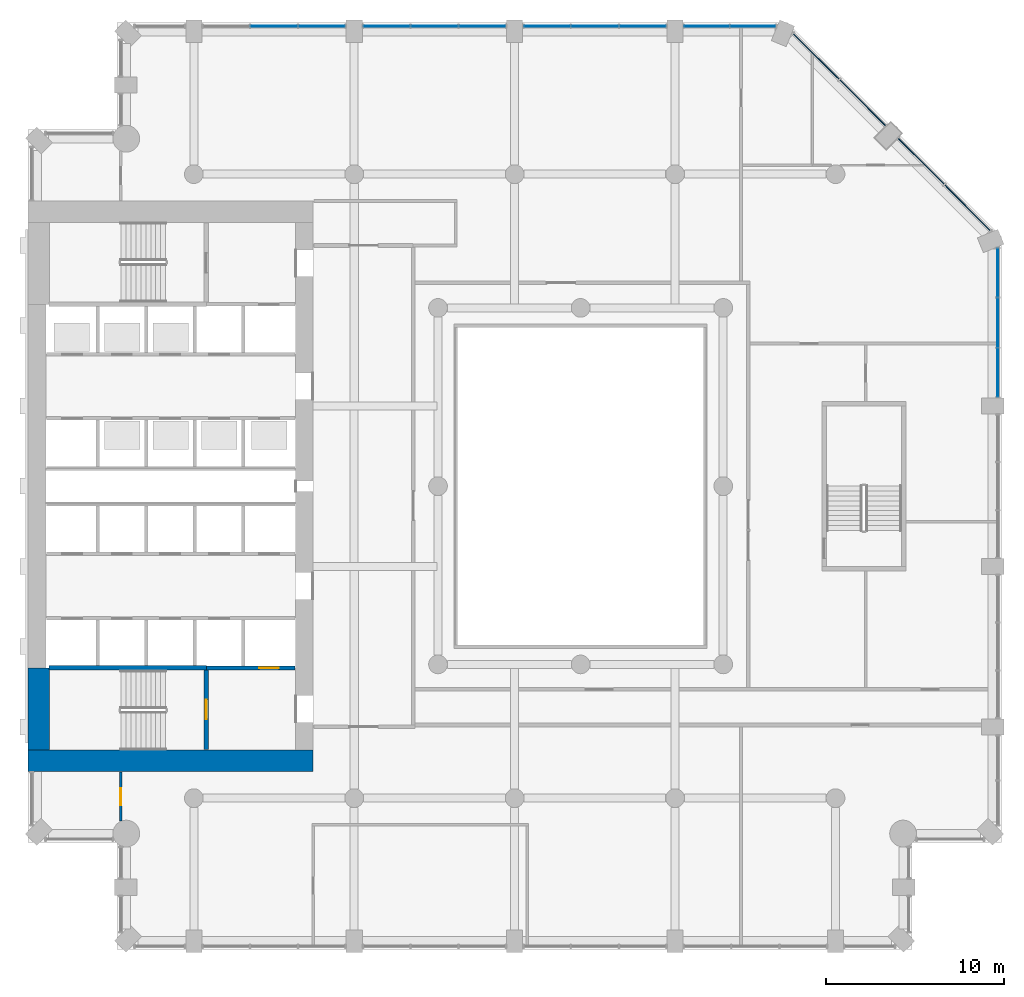
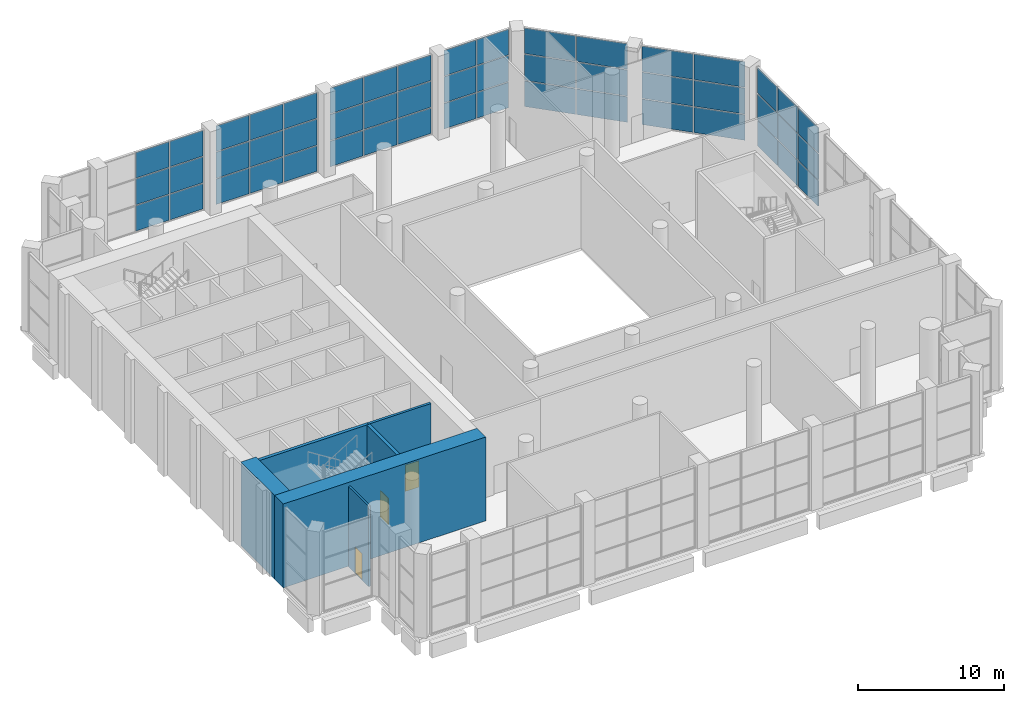
# One storey, part 11 of 22: 51 plates, 6 walls, 3 doors, 3 openings, 7 elements without a shape of their own.
"""IFC4 building model written with IfcOpenShell, lengths in metres."""

from ifc_helpers import new_model, si_unit, direction, frame, frame_2d, origin, origin_2d, place, context, subcontext, project, spatial, rectangle, extrude, material, layer, layer_set, type_object, element, fill, aggregate, save


model = new_model("IFC4")

# Units and contexts
model_context = context("Model", 3, precision=1e-05, world=origin(), true_north=direction((0.0, 1.0)))
body_context = subcontext(model_context, "Body", "Model", "MODEL_VIEW")
ifc_project = project(units=[si_unit("LENGTHUNIT", "METRE"), si_unit("AREAUNIT", "SQUARE_METRE"), si_unit("VOLUMEUNIT", "CUBIC_METRE"), si_unit("PLANEANGLEUNIT", "RADIAN"), si_unit("MASSUNIT", "GRAM", prefix="KILO")], contexts=[model_context])

# Site, building, storey
site_placement = place(None, origin())
site = spatial("IfcSite", under=ifc_project, at=site_placement, CompositionType="ELEMENT")
building_placement = place(site_placement, origin())
building = spatial("IfcBuilding", under=site, at=building_placement, Name="Cypress Arch Tower", CompositionType="ELEMENT")
storey_placement = place(building_placement, frame((0.0, 0.0, 145.5)))
storey = spatial("IfcBuildingStorey", under=building, at=storey_placement, Name="L32", CompositionType="ELEMENT", Elevation=145.5)

# Curtain wall, plates
ifc_material_1 = material(Name="Anodised aluminium, bronze finish, solar control laminated double glazing", Category="aluminium")
curtain_wall_type = type_object("IfcCurtainWallType", Name="Curtain wall CW3 sky lobby glazing", PredefinedType="NOTDEFINED", material=ifc_material_1)
curtain_wall_1_placement = place(storey_placement, origin())
curtain_wall_1 = element("IfcCurtainWall", 1, at=curtain_wall_1_placement, inside=storey, type_object=curtain_wall_type, Name="Curtain wall L32 A06.3.1", PredefinedType="NOTDEFINED")
ifc_material_2 = material(Name="Solar control laminated double glazing", Category="glass")
ifc_layer_1 = layer(ifc_material_2, 0.0439453125)
ifc_layer_set_1 = layer_set([ifc_layer_1], Name="Glass panel CW3 44")
plate_type = type_object("IfcPlateType", Name="Glass panel CW3 44", PredefinedType="CURTAIN_PANEL", material=ifc_layer_set_1)
plate_1_placement = place(storey_placement, frame((24.39990234375, 6.375244140625, 0.0751953125), z_axis=(0.0, 0.0, 1.0), x_axis=(0.0, 1.0, 0.0)))
plate_1 = element("IfcPlate", 2, at=plate_1_placement, type_object=plate_type, Name="CW3 panel 1.1", PredefinedType="CURTAIN_PANEL", context=body_context, shape_type="SweptSolid", body=[
    extrude(rectangle(XDim=2.700439453125, YDim=0.0439453125, at=origin_2d()), origin(), (0.0, 0.0, 1.0), 2.120849609375),
])
plate_2_placement = place(storey_placement, frame((24.39990234375, 6.375244140625, 2.27099609375), z_axis=(0.0, 0.0, 1.0), x_axis=(0.0, 1.0, 0.0)))
plate_2 = element("IfcPlate", 3, at=plate_2_placement, type_object=plate_type, Name="CW3 panel 1.2", PredefinedType="CURTAIN_PANEL", context=body_context, shape_type="SweptSolid", body=[
    extrude(rectangle(XDim=2.700439453125, YDim=0.0439453125, at=origin_2d()), origin(), (0.0, 0.0, 1.0), 2.158447265625),
])
plate_3_placement = place(storey_placement, frame((24.39990234375, 6.375244140625, 4.50439453125), z_axis=(0.0, 0.0, 1.0), x_axis=(0.0, 1.0, 0.0)))
plate_3 = element("IfcPlate", 4, at=plate_3_placement, type_object=plate_type, Name="CW3 panel 1.3", PredefinedType="CURTAIN_PANEL", context=body_context, shape_type="SweptSolid", body=[
    extrude(rectangle(XDim=2.700439453125, YDim=0.0439453125, at=origin_2d()), origin(), (0.0, 0.0, 1.0), 2.120849609375),
])
plate_4_placement = place(storey_placement, frame((24.39990234375, 9.16943359375, 0.0751953125), z_axis=(0.0, 0.0, 1.0), x_axis=(0.0, 1.0, 0.0)))
plate_4 = element("IfcPlate", 5, at=plate_4_placement, type_object=plate_type, Name="CW3 panel 2.1", PredefinedType="CURTAIN_PANEL", context=body_context, shape_type="SweptSolid", body=[
    extrude(rectangle(XDim=2.73779296875, YDim=0.0439453125, at=origin_2d()), origin(), (0.0, 0.0, 1.0), 2.120849609375),
])
plate_5_placement = place(storey_placement, frame((24.39990234375, 9.16943359375, 2.27099609375), z_axis=(0.0, 0.0, 1.0), x_axis=(0.0, 1.0, 0.0)))
plate_5 = element("IfcPlate", 6, at=plate_5_placement, type_object=plate_type, Name="CW3 panel 2.2", PredefinedType="CURTAIN_PANEL", context=body_context, shape_type="SweptSolid", body=[
    extrude(rectangle(XDim=2.73779296875, YDim=0.0439453125, at=origin_2d()), origin(), (0.0, 0.0, 1.0), 2.158447265625),
])
plate_6_placement = place(storey_placement, frame((24.39990234375, 9.16943359375, 4.50439453125), z_axis=(0.0, 0.0, 1.0), x_axis=(0.0, 1.0, 0.0)))
plate_6 = element("IfcPlate", 7, at=plate_6_placement, type_object=plate_type, Name="CW3 panel 2.3", PredefinedType="CURTAIN_PANEL", context=body_context, shape_type="SweptSolid", body=[
    extrude(rectangle(XDim=2.73779296875, YDim=0.0439453125, at=origin_2d()), origin(), (0.0, 0.0, 1.0), 2.120849609375),
])
plate_7_placement = place(storey_placement, frame((24.39990234375, 11.96337890625, 0.0751953125), z_axis=(0.0, 0.0, 1.0), x_axis=(0.0, 1.0, 0.0)))
plate_7 = element("IfcPlate", 8, at=plate_7_placement, type_object=plate_type, Name="CW3 panel 3.1", PredefinedType="CURTAIN_PANEL", context=body_context, shape_type="SweptSolid", body=[
    extrude(rectangle(XDim=2.700439453125, YDim=0.0439453125, at=origin_2d()), origin(), (0.0, 0.0, 1.0), 2.120849609375),
])
plate_8_placement = place(storey_placement, frame((24.39990234375, 11.96337890625, 2.27099609375), z_axis=(0.0, 0.0, 1.0), x_axis=(0.0, 1.0, 0.0)))
plate_8 = element("IfcPlate", 9, at=plate_8_placement, type_object=plate_type, Name="CW3 panel 3.2", PredefinedType="CURTAIN_PANEL", context=body_context, shape_type="SweptSolid", body=[
    extrude(rectangle(XDim=2.700439453125, YDim=0.0439453125, at=origin_2d()), origin(), (0.0, 0.0, 1.0), 2.158447265625),
])
plate_9_placement = place(storey_placement, frame((24.39990234375, 11.96337890625, 4.50439453125), z_axis=(0.0, 0.0, 1.0), x_axis=(0.0, 1.0, 0.0)))
plate_9 = element("IfcPlate", 10, at=plate_9_placement, type_object=plate_type, Name="CW3 panel 3.3", PredefinedType="CURTAIN_PANEL", context=body_context, shape_type="SweptSolid", body=[
    extrude(rectangle(XDim=2.700439453125, YDim=0.0439453125, at=origin_2d()), origin(), (0.0, 0.0, 1.0), 2.120849609375),
])
aggregate(curtain_wall_1, [plate_1, plate_2, plate_3, plate_4, plate_5, plate_6, plate_7, plate_8, plate_9])

curtain_wall_2_placement = place(storey_placement, origin())
curtain_wall_2 = element("IfcCurtainWall", 11, at=curtain_wall_2_placement, inside=storey, type_object=curtain_wall_type, Name="Curtain wall L32 A07.0.1", PredefinedType="NOTDEFINED")
plate_10_placement = place(storey_placement, frame((22.70068359375, 15.616455078125, 0.0751953125), z_axis=(0.0, 0.0, 1.0), x_axis=(-0.707106848533, 0.70710671384, 0.0)))
plate_10 = element("IfcPlate", 12, at=plate_10_placement, type_object=plate_type, Name="CW3 panel 1.1", PredefinedType="CURTAIN_PANEL", context=body_context, shape_type="SweptSolid", body=[
    extrude(rectangle(XDim=3.599365234375, YDim=0.0439453125, at=origin_2d()), origin(), (0.0, 0.0, 1.0), 2.120849609375),
])
plate_11_placement = place(storey_placement, frame((22.70068359375, 15.616455078125, 2.27099609375), z_axis=(0.0, 0.0, 1.0), x_axis=(-0.707106848533, 0.70710671384, 0.0)))
plate_11 = element("IfcPlate", 13, at=plate_11_placement, type_object=plate_type, Name="CW3 panel 1.2", PredefinedType="CURTAIN_PANEL", context=body_context, shape_type="SweptSolid", body=[
    extrude(rectangle(XDim=3.599365234375, YDim=0.0439453125, at=origin_2d()), origin(), (0.0, 0.0, 1.0), 2.158447265625),
])
plate_12_placement = place(storey_placement, frame((22.70068359375, 15.616455078125, 4.50439453125), z_axis=(0.0, 0.0, 1.0), x_axis=(-0.707106848533, 0.70710671384, 0.0)))
plate_12 = element("IfcPlate", 14, at=plate_12_placement, type_object=plate_type, Name="CW3 panel 1.3", PredefinedType="CURTAIN_PANEL", context=body_context, shape_type="SweptSolid", body=[
    extrude(rectangle(XDim=3.599365234375, YDim=0.0439453125, at=origin_2d()), origin(), (0.0, 0.0, 1.0), 2.120849609375),
])
plate_13_placement = place(storey_placement, frame((20.102294921875, 18.21484375, 0.0751953125), z_axis=(0.0, 0.0, 1.0), x_axis=(-0.707106848533, 0.70710671384, 0.0)))
plate_13 = element("IfcPlate", 15, at=plate_13_placement, type_object=plate_type, Name="CW3 panel 2.1", PredefinedType="CURTAIN_PANEL", context=body_context, shape_type="SweptSolid", body=[
    extrude(rectangle(XDim=3.599365234375, YDim=0.0439453125, at=origin_2d()), origin(), (0.0, 0.0, 1.0), 2.120849609375),
])
plate_14_placement = place(storey_placement, frame((20.102294921875, 18.21484375, 2.27099609375), z_axis=(0.0, 0.0, 1.0), x_axis=(-0.707106848533, 0.70710671384, 0.0)))
plate_14 = element("IfcPlate", 16, at=plate_14_placement, type_object=plate_type, Name="CW3 panel 2.2", PredefinedType="CURTAIN_PANEL", context=body_context, shape_type="SweptSolid", body=[
    extrude(rectangle(XDim=3.599365234375, YDim=0.0439453125, at=origin_2d()), origin(), (0.0, 0.0, 1.0), 2.158447265625),
])
plate_15_placement = place(storey_placement, frame((20.102294921875, 18.21484375, 4.50439453125), z_axis=(0.0, 0.0, 1.0), x_axis=(-0.707106848533, 0.70710671384, 0.0)))
plate_15 = element("IfcPlate", 17, at=plate_15_placement, type_object=plate_type, Name="CW3 panel 2.3", PredefinedType="CURTAIN_PANEL", context=body_context, shape_type="SweptSolid", body=[
    extrude(rectangle(XDim=3.599365234375, YDim=0.0439453125, at=origin_2d()), origin(), (0.0, 0.0, 1.0), 2.120849609375),
])
aggregate(curtain_wall_2, [plate_10, plate_11, plate_12, plate_13, plate_14, plate_15])

curtain_wall_3_placement = place(storey_placement, origin())
curtain_wall_3 = element("IfcCurtainWall", 18, at=curtain_wall_3_placement, inside=storey, type_object=curtain_wall_type, Name="Curtain wall L32 A07.1.1", PredefinedType="NOTDEFINED")
plate_16_placement = place(storey_placement, frame((16.814697265625, 21.50244140625, 0.0751953125), z_axis=(0.0, 0.0, 1.0), x_axis=(-0.707106848533, 0.70710671384, 0.0)))
plate_16 = element("IfcPlate", 19, at=plate_16_placement, type_object=plate_type, Name="CW3 panel 1.1", PredefinedType="CURTAIN_PANEL", context=body_context, shape_type="SweptSolid", body=[
    extrude(rectangle(XDim=3.599365234375, YDim=0.0439453125, at=origin_2d()), origin(), (0.0, 0.0, 1.0), 2.120849609375),
])
plate_17_placement = place(storey_placement, frame((16.814697265625, 21.50244140625, 2.27099609375), z_axis=(0.0, 0.0, 1.0), x_axis=(-0.707106848533, 0.70710671384, 0.0)))
plate_17 = element("IfcPlate", 20, at=plate_17_placement, type_object=plate_type, Name="CW3 panel 1.2", PredefinedType="CURTAIN_PANEL", context=body_context, shape_type="SweptSolid", body=[
    extrude(rectangle(XDim=3.599365234375, YDim=0.0439453125, at=origin_2d()), origin(), (0.0, 0.0, 1.0), 2.158447265625),
])
plate_18_placement = place(storey_placement, frame((16.814697265625, 21.50244140625, 4.50439453125), z_axis=(0.0, 0.0, 1.0), x_axis=(-0.707106848533, 0.70710671384, 0.0)))
plate_18 = element("IfcPlate", 21, at=plate_18_placement, type_object=plate_type, Name="CW3 panel 1.3", PredefinedType="CURTAIN_PANEL", context=body_context, shape_type="SweptSolid", body=[
    extrude(rectangle(XDim=3.599365234375, YDim=0.0439453125, at=origin_2d()), origin(), (0.0, 0.0, 1.0), 2.120849609375),
])
plate_19_placement = place(storey_placement, frame((14.216552734375, 24.1005859375, 0.0751953125), z_axis=(0.0, 0.0, 1.0), x_axis=(-0.707106848533, 0.70710671384, 0.0)))
plate_19 = element("IfcPlate", 22, at=plate_19_placement, type_object=plate_type, Name="CW3 panel 2.1", PredefinedType="CURTAIN_PANEL", context=body_context, shape_type="SweptSolid", body=[
    extrude(rectangle(XDim=3.599365234375, YDim=0.0439453125, at=origin_2d()), origin(), (0.0, 0.0, 1.0), 2.120849609375),
])
plate_20_placement = place(storey_placement, frame((14.216552734375, 24.1005859375, 2.27099609375), z_axis=(0.0, 0.0, 1.0), x_axis=(-0.707106848533, 0.70710671384, 0.0)))
plate_20 = element("IfcPlate", 23, at=plate_20_placement, type_object=plate_type, Name="CW3 panel 2.2", PredefinedType="CURTAIN_PANEL", context=body_context, shape_type="SweptSolid", body=[
    extrude(rectangle(XDim=3.599365234375, YDim=0.0439453125, at=origin_2d()), origin(), (0.0, 0.0, 1.0), 2.158447265625),
])
plate_21_placement = place(storey_placement, frame((14.216552734375, 24.1005859375, 4.50439453125), z_axis=(0.0, 0.0, 1.0), x_axis=(-0.707106848533, 0.70710671384, 0.0)))
plate_21 = element("IfcPlate", 24, at=plate_21_placement, type_object=plate_type, Name="CW3 panel 2.3", PredefinedType="CURTAIN_PANEL", context=body_context, shape_type="SweptSolid", body=[
    extrude(rectangle(XDim=3.599365234375, YDim=0.0439453125, at=origin_2d()), origin(), (0.0, 0.0, 1.0), 2.120849609375),
])
aggregate(curtain_wall_3, [plate_16, plate_17, plate_18, plate_19, plate_20, plate_21])

curtain_wall_4_placement = place(storey_placement, origin())
curtain_wall_4 = element("IfcCurtainWall", 25, at=curtain_wall_4_placement, inside=storey, type_object=curtain_wall_type, Name="Curtain wall L32 A08.0.1", PredefinedType="NOTDEFINED")
plate_22_placement = place(storey_placement, frame((10.66015625, 25.800048828125, 0.0751953125), z_axis=(0.0, 0.0, 1.0), x_axis=(-1.0, 0.0, 0.0)))
plate_22 = element("IfcPlate", 26, at=plate_22_placement, type_object=plate_type, Name="CW3 panel 1.1", PredefinedType="CURTAIN_PANEL", context=body_context, shape_type="SweptSolid", body=[
    extrude(rectangle(XDim=2.5068359375, YDim=0.0439453125, at=origin_2d()), origin(), (0.0, 0.0, 1.0), 2.120849609375),
])
plate_23_placement = place(storey_placement, frame((10.66015625, 25.800048828125, 2.27099609375), z_axis=(0.0, 0.0, 1.0), x_axis=(-1.0, 0.0, 0.0)))
plate_23 = element("IfcPlate", 27, at=plate_23_placement, type_object=plate_type, Name="CW3 panel 1.2", PredefinedType="CURTAIN_PANEL", context=body_context, shape_type="SweptSolid", body=[
    extrude(rectangle(XDim=2.5068359375, YDim=0.0439453125, at=origin_2d()), origin(), (0.0, 0.0, 1.0), 2.158447265625),
])
plate_24_placement = place(storey_placement, frame((10.66015625, 25.800048828125, 4.50439453125), z_axis=(0.0, 0.0, 1.0), x_axis=(-1.0, 0.0, 0.0)))
plate_24 = element("IfcPlate", 28, at=plate_24_placement, type_object=plate_type, Name="CW3 panel 1.3", PredefinedType="CURTAIN_PANEL", context=body_context, shape_type="SweptSolid", body=[
    extrude(rectangle(XDim=2.5068359375, YDim=0.0439453125, at=origin_2d()), origin(), (0.0, 0.0, 1.0), 2.120849609375),
])
plate_25_placement = place(storey_placement, frame((8.078369140625, 25.800048828125, 0.0751953125), z_axis=(0.0, 0.0, 1.0), x_axis=(-1.0, 0.0, 0.0)))
plate_25 = element("IfcPlate", 29, at=plate_25_placement, type_object=plate_type, Name="CW3 panel 2.1", PredefinedType="CURTAIN_PANEL", context=body_context, shape_type="SweptSolid", body=[
    extrude(rectangle(XDim=2.5068359375, YDim=0.0439453125, at=origin_2d()), origin(), (0.0, 0.0, 1.0), 2.120849609375),
])
plate_26_placement = place(storey_placement, frame((8.078369140625, 25.800048828125, 2.27099609375), z_axis=(0.0, 0.0, 1.0), x_axis=(-1.0, 0.0, 0.0)))
plate_26 = element("IfcPlate", 30, at=plate_26_placement, type_object=plate_type, Name="CW3 panel 2.2", PredefinedType="CURTAIN_PANEL", context=body_context, shape_type="SweptSolid", body=[
    extrude(rectangle(XDim=2.5068359375, YDim=0.0439453125, at=origin_2d()), origin(), (0.0, 0.0, 1.0), 2.158447265625),
])
plate_27_placement = place(storey_placement, frame((8.078369140625, 25.800048828125, 4.50439453125), z_axis=(0.0, 0.0, 1.0), x_axis=(-1.0, 0.0, 0.0)))
plate_27 = element("IfcPlate", 31, at=plate_27_placement, type_object=plate_type, Name="CW3 panel 2.3", PredefinedType="CURTAIN_PANEL", context=body_context, shape_type="SweptSolid", body=[
    extrude(rectangle(XDim=2.5068359375, YDim=0.0439453125, at=origin_2d()), origin(), (0.0, 0.0, 1.0), 2.120849609375),
])
aggregate(curtain_wall_4, [plate_22, plate_23, plate_24, plate_25, plate_26, plate_27])

curtain_wall_5_placement = place(storey_placement, origin())
curtain_wall_5 = element("IfcCurtainWall", 32, at=curtain_wall_5_placement, inside=storey, type_object=curtain_wall_type, Name="Curtain wall L32 A08.1.1", PredefinedType="NOTDEFINED")
plate_28_placement = place(storey_placement, frame((4.481201171875, 25.800048828125, 0.0751953125), z_axis=(0.0, 0.0, 1.0), x_axis=(-1.0, 0.0, 0.0)))
plate_28 = element("IfcPlate", 33, at=plate_28_placement, type_object=plate_type, Name="CW3 panel 1.1", PredefinedType="CURTAIN_PANEL", context=body_context, shape_type="SweptSolid", body=[
    extrude(rectangle(XDim=2.58740234375, YDim=0.0439453125, at=origin_2d()), origin(), (0.0, 0.0, 1.0), 2.120849609375),
])
plate_29_placement = place(storey_placement, frame((4.481201171875, 25.800048828125, 2.27099609375), z_axis=(0.0, 0.0, 1.0), x_axis=(-1.0, 0.0, 0.0)))
plate_29 = element("IfcPlate", 34, at=plate_29_placement, type_object=plate_type, Name="CW3 panel 1.2", PredefinedType="CURTAIN_PANEL", context=body_context, shape_type="SweptSolid", body=[
    extrude(rectangle(XDim=2.58740234375, YDim=0.0439453125, at=origin_2d()), origin(), (0.0, 0.0, 1.0), 2.158447265625),
])
plate_30_placement = place(storey_placement, frame((4.481201171875, 25.800048828125, 4.50439453125), z_axis=(0.0, 0.0, 1.0), x_axis=(-1.0, 0.0, 0.0)))
plate_30 = element("IfcPlate", 35, at=plate_30_placement, type_object=plate_type, Name="CW3 panel 1.3", PredefinedType="CURTAIN_PANEL", context=body_context, shape_type="SweptSolid", body=[
    extrude(rectangle(XDim=2.58740234375, YDim=0.0439453125, at=origin_2d()), origin(), (0.0, 0.0, 1.0), 2.120849609375),
])
plate_31_placement = place(storey_placement, frame((1.800048828125, 25.800048828125, 0.0751953125), z_axis=(0.0, 0.0, 1.0), x_axis=(-1.0, 0.0, 0.0)))
plate_31 = element("IfcPlate", 36, at=plate_31_placement, type_object=plate_type, Name="CW3 panel 2.1", PredefinedType="CURTAIN_PANEL", context=body_context, shape_type="SweptSolid", body=[
    extrude(rectangle(XDim=2.625, YDim=0.0439453125, at=origin_2d()), origin(), (0.0, 0.0, 1.0), 2.120849609375),
])
plate_32_placement = place(storey_placement, frame((1.800048828125, 25.800048828125, 2.27099609375), z_axis=(0.0, 0.0, 1.0), x_axis=(-1.0, 0.0, 0.0)))
plate_32 = element("IfcPlate", 37, at=plate_32_placement, type_object=plate_type, Name="CW3 panel 2.2", PredefinedType="CURTAIN_PANEL", context=body_context, shape_type="SweptSolid", body=[
    extrude(rectangle(XDim=2.625, YDim=0.0439453125, at=origin_2d()), origin(), (0.0, 0.0, 1.0), 2.158447265625),
])
plate_33_placement = place(storey_placement, frame((1.800048828125, 25.800048828125, 4.50439453125), z_axis=(0.0, 0.0, 1.0), x_axis=(-1.0, 0.0, 0.0)))
plate_33 = element("IfcPlate", 38, at=plate_33_placement, type_object=plate_type, Name="CW3 panel 2.3", PredefinedType="CURTAIN_PANEL", context=body_context, shape_type="SweptSolid", body=[
    extrude(rectangle(XDim=2.625, YDim=0.0439453125, at=origin_2d()), origin(), (0.0, 0.0, 1.0), 2.120849609375),
])
plate_34_placement = place(storey_placement, frame((-0.88134765625, 25.800048828125, 0.0751953125), z_axis=(0.0, 0.0, 1.0), x_axis=(-1.0, 0.0, 0.0)))
plate_34 = element("IfcPlate", 39, at=plate_34_placement, type_object=plate_type, Name="CW3 panel 3.1", PredefinedType="CURTAIN_PANEL", context=body_context, shape_type="SweptSolid", body=[
    extrude(rectangle(XDim=2.58740234375, YDim=0.0439453125, at=origin_2d()), origin(), (0.0, 0.0, 1.0), 2.120849609375),
])
plate_35_placement = place(storey_placement, frame((-0.88134765625, 25.800048828125, 2.27099609375), z_axis=(0.0, 0.0, 1.0), x_axis=(-1.0, 0.0, 0.0)))
plate_35 = element("IfcPlate", 40, at=plate_35_placement, type_object=plate_type, Name="CW3 panel 3.2", PredefinedType="CURTAIN_PANEL", context=body_context, shape_type="SweptSolid", body=[
    extrude(rectangle(XDim=2.58740234375, YDim=0.0439453125, at=origin_2d()), origin(), (0.0, 0.0, 1.0), 2.158447265625),
])
plate_36_placement = place(storey_placement, frame((-0.88134765625, 25.800048828125, 4.50439453125), z_axis=(0.0, 0.0, 1.0), x_axis=(-1.0, 0.0, 0.0)))
plate_36 = element("IfcPlate", 41, at=plate_36_placement, type_object=plate_type, Name="CW3 panel 3.3", PredefinedType="CURTAIN_PANEL", context=body_context, shape_type="SweptSolid", body=[
    extrude(rectangle(XDim=2.58740234375, YDim=0.0439453125, at=origin_2d()), origin(), (0.0, 0.0, 1.0), 2.120849609375),
])
aggregate(curtain_wall_5, [plate_28, plate_29, plate_30, plate_31, plate_32, plate_33, plate_34, plate_35, plate_36])

curtain_wall_6_placement = place(storey_placement, origin())
curtain_wall_6 = element("IfcCurtainWall", 42, at=curtain_wall_6_placement, inside=storey, type_object=curtain_wall_type, Name="Curtain wall L32 A08.2.1", PredefinedType="NOTDEFINED")
plate_37_placement = place(storey_placement, frame((-4.518798828125, 25.800048828125, 0.0751953125), z_axis=(0.0, 0.0, 1.0), x_axis=(-1.0, 0.0, 0.0)))
plate_37 = element("IfcPlate", 43, at=plate_37_placement, type_object=plate_type, Name="CW3 panel 1.1", PredefinedType="CURTAIN_PANEL", context=body_context, shape_type="SweptSolid", body=[
    extrude(rectangle(XDim=2.58740234375, YDim=0.0439453125, at=origin_2d()), origin(), (0.0, 0.0, 1.0), 2.120849609375),
])
plate_38_placement = place(storey_placement, frame((-4.518798828125, 25.800048828125, 2.27099609375), z_axis=(0.0, 0.0, 1.0), x_axis=(-1.0, 0.0, 0.0)))
plate_38 = element("IfcPlate", 44, at=plate_38_placement, type_object=plate_type, Name="CW3 panel 1.2", PredefinedType="CURTAIN_PANEL", context=body_context, shape_type="SweptSolid", body=[
    extrude(rectangle(XDim=2.58740234375, YDim=0.0439453125, at=origin_2d()), origin(), (0.0, 0.0, 1.0), 2.158447265625),
])
plate_39_placement = place(storey_placement, frame((-4.518798828125, 25.800048828125, 4.50439453125), z_axis=(0.0, 0.0, 1.0), x_axis=(-1.0, 0.0, 0.0)))
plate_39 = element("IfcPlate", 45, at=plate_39_placement, type_object=plate_type, Name="CW3 panel 1.3", PredefinedType="CURTAIN_PANEL", context=body_context, shape_type="SweptSolid", body=[
    extrude(rectangle(XDim=2.58740234375, YDim=0.0439453125, at=origin_2d()), origin(), (0.0, 0.0, 1.0), 2.120849609375),
])
plate_40_placement = place(storey_placement, frame((-7.199951171875, 25.800048828125, 0.0751953125), z_axis=(0.0, 0.0, 1.0), x_axis=(-1.0, 0.0, 0.0)))
plate_40 = element("IfcPlate", 46, at=plate_40_placement, type_object=plate_type, Name="CW3 panel 2.1", PredefinedType="CURTAIN_PANEL", context=body_context, shape_type="SweptSolid", body=[
    extrude(rectangle(XDim=2.625, YDim=0.0439453125, at=origin_2d()), origin(), (0.0, 0.0, 1.0), 2.120849609375),
])
plate_41_placement = place(storey_placement, frame((-7.199951171875, 25.800048828125, 2.27099609375), z_axis=(0.0, 0.0, 1.0), x_axis=(-1.0, 0.0, 0.0)))
plate_41 = element("IfcPlate", 47, at=plate_41_placement, type_object=plate_type, Name="CW3 panel 2.2", PredefinedType="CURTAIN_PANEL", context=body_context, shape_type="SweptSolid", body=[
    extrude(rectangle(XDim=2.625, YDim=0.0439453125, at=origin_2d()), origin(), (0.0, 0.0, 1.0), 2.158447265625),
])
plate_42_placement = place(storey_placement, frame((-7.199951171875, 25.800048828125, 4.50439453125), z_axis=(0.0, 0.0, 1.0), x_axis=(-1.0, 0.0, 0.0)))
plate_42 = element("IfcPlate", 48, at=plate_42_placement, type_object=plate_type, Name="CW3 panel 2.3", PredefinedType="CURTAIN_PANEL", context=body_context, shape_type="SweptSolid", body=[
    extrude(rectangle(XDim=2.625, YDim=0.0439453125, at=origin_2d()), origin(), (0.0, 0.0, 1.0), 2.120849609375),
])
plate_43_placement = place(storey_placement, frame((-9.88134765625, 25.800048828125, 0.0751953125), z_axis=(0.0, 0.0, 1.0), x_axis=(-1.0, 0.0, 0.0)))
plate_43 = element("IfcPlate", 49, at=plate_43_placement, type_object=plate_type, Name="CW3 panel 3.1", PredefinedType="CURTAIN_PANEL", context=body_context, shape_type="SweptSolid", body=[
    extrude(rectangle(XDim=2.58740234375, YDim=0.0439453125, at=origin_2d()), origin(), (0.0, 0.0, 1.0), 2.120849609375),
])
plate_44_placement = place(storey_placement, frame((-9.88134765625, 25.800048828125, 2.27099609375), z_axis=(0.0, 0.0, 1.0), x_axis=(-1.0, 0.0, 0.0)))
plate_44 = element("IfcPlate", 50, at=plate_44_placement, type_object=plate_type, Name="CW3 panel 3.2", PredefinedType="CURTAIN_PANEL", context=body_context, shape_type="SweptSolid", body=[
    extrude(rectangle(XDim=2.58740234375, YDim=0.0439453125, at=origin_2d()), origin(), (0.0, 0.0, 1.0), 2.158447265625),
])
plate_45_placement = place(storey_placement, frame((-9.88134765625, 25.800048828125, 4.50439453125), z_axis=(0.0, 0.0, 1.0), x_axis=(-1.0, 0.0, 0.0)))
plate_45 = element("IfcPlate", 51, at=plate_45_placement, type_object=plate_type, Name="CW3 panel 3.3", PredefinedType="CURTAIN_PANEL", context=body_context, shape_type="SweptSolid", body=[
    extrude(rectangle(XDim=2.58740234375, YDim=0.0439453125, at=origin_2d()), origin(), (0.0, 0.0, 1.0), 2.120849609375),
])
aggregate(curtain_wall_6, [plate_37, plate_38, plate_39, plate_40, plate_41, plate_42, plate_43, plate_44, plate_45])

curtain_wall_7_placement = place(storey_placement, origin())
curtain_wall_7 = element("IfcCurtainWall", 52, at=curtain_wall_7_placement, inside=storey, type_object=curtain_wall_type, Name="Curtain wall L32 A08.3.1", PredefinedType="NOTDEFINED")
plate_46_placement = place(storey_placement, frame((-13.518798828125, 25.800048828125, 0.0751953125), z_axis=(0.0, 0.0, 1.0), x_axis=(-1.0, 0.0, 0.0)))
plate_46 = element("IfcPlate", 53, at=plate_46_placement, type_object=plate_type, Name="CW3 panel 1.1", PredefinedType="CURTAIN_PANEL", context=body_context, shape_type="SweptSolid", body=[
    extrude(rectangle(XDim=2.58740234375, YDim=0.0439453125, at=origin_2d()), origin(), (0.0, 0.0, 1.0), 2.120849609375),
])
plate_47_placement = place(storey_placement, frame((-13.518798828125, 25.800048828125, 2.27099609375), z_axis=(0.0, 0.0, 1.0), x_axis=(-1.0, 0.0, 0.0)))
plate_47 = element("IfcPlate", 54, at=plate_47_placement, type_object=plate_type, Name="CW3 panel 1.2", PredefinedType="CURTAIN_PANEL", context=body_context, shape_type="SweptSolid", body=[
    extrude(rectangle(XDim=2.58740234375, YDim=0.0439453125, at=origin_2d()), origin(), (0.0, 0.0, 1.0), 2.158447265625),
])
plate_48_placement = place(storey_placement, frame((-13.518798828125, 25.800048828125, 4.50439453125), z_axis=(0.0, 0.0, 1.0), x_axis=(-1.0, 0.0, 0.0)))
plate_48 = element("IfcPlate", 55, at=plate_48_placement, type_object=plate_type, Name="CW3 panel 1.3", PredefinedType="CURTAIN_PANEL", context=body_context, shape_type="SweptSolid", body=[
    extrude(rectangle(XDim=2.58740234375, YDim=0.0439453125, at=origin_2d()), origin(), (0.0, 0.0, 1.0), 2.120849609375),
])
plate_49_placement = place(storey_placement, frame((-16.199951171875, 25.800048828125, 0.0751953125), z_axis=(0.0, 0.0, 1.0), x_axis=(-1.0, 0.0, 0.0)))
plate_49 = element("IfcPlate", 56, at=plate_49_placement, type_object=plate_type, Name="CW3 panel 2.1", PredefinedType="CURTAIN_PANEL", context=body_context, shape_type="SweptSolid", body=[
    extrude(rectangle(XDim=2.625, YDim=0.0439453125, at=origin_2d()), origin(), (0.0, 0.0, 1.0), 2.120849609375),
])
plate_50_placement = place(storey_placement, frame((-16.199951171875, 25.800048828125, 2.27099609375), z_axis=(0.0, 0.0, 1.0), x_axis=(-1.0, 0.0, 0.0)))
plate_50 = element("IfcPlate", 57, at=plate_50_placement, type_object=plate_type, Name="CW3 panel 2.2", PredefinedType="CURTAIN_PANEL", context=body_context, shape_type="SweptSolid", body=[
    extrude(rectangle(XDim=2.625, YDim=0.0439453125, at=origin_2d()), origin(), (0.0, 0.0, 1.0), 2.158447265625),
])
plate_51_placement = place(storey_placement, frame((-16.199951171875, 25.800048828125, 4.50439453125), z_axis=(0.0, 0.0, 1.0), x_axis=(-1.0, 0.0, 0.0)))
plate_51 = element("IfcPlate", 58, at=plate_51_placement, type_object=plate_type, Name="CW3 panel 2.3", PredefinedType="CURTAIN_PANEL", context=body_context, shape_type="SweptSolid", body=[
    extrude(rectangle(XDim=2.625, YDim=0.0439453125, at=origin_2d()), origin(), (0.0, 0.0, 1.0), 2.120849609375),
])
aggregate(curtain_wall_7, [plate_46, plate_47, plate_48, plate_49, plate_50, plate_51])

# Walls
ifc_material_3 = material(Name="Concrete C80/95", Category="concrete")
ifc_layer_2 = layer(ifc_material_3, 1.199951171875)
ifc_layer_set_2 = layer_set([ifc_layer_2], Name="Core wall CW1200 C80/95")
wall_type_1 = type_object("IfcWallType", Name="Core wall CW1200 C80/95", PredefinedType="SHEAR", material=ifc_layer_set_2)
wall_1_placement = place(storey_placement, frame((-30.0, -15.39990234375, 0.0), z_axis=(0.0, 0.0, 1.0), x_axis=(1.0, 0.0, 0.0)))
element("IfcWall", 59, at=wall_1_placement, inside=storey, type_object=wall_type_1, Name="Core wall", PredefinedType="SHEAR", context=body_context, shape_type="SweptSolid", body=[
    extrude(rectangle(XDim=16.0, YDim=1.199951171875, at=frame_2d((8.0, 0.0))), origin(), (0.0, 0.0, 1.0), 7.0),
])
wall_2_placement = place(storey_placement, frame((-29.39990234375, -14.800048828125, 0.0), z_axis=(0.0, 0.0, 1.0), x_axis=(0.0, 1.0, 0.0)))
element("IfcWall", 60, at=wall_2_placement, inside=storey, type_object=wall_type_1, Name="Core wall", PredefinedType="SHEAR", context=body_context, shape_type="SweptSolid", body=[
    extrude(rectangle(XDim=4.60009765625, YDim=1.199951171875, at=frame_2d((2.300048828125, 0.0))), origin(), (0.0, 0.0, 1.0), 7.0),
])

# Wall, opening, door
ifc_material_4 = material(Name="Blockwork, plastered both sides", Category="masonry")
ifc_layer_3 = layer(ifc_material_4, 0.14990234375)
ifc_layer_set_3 = layer_set([ifc_layer_3], Name="Partition PW150")
wall_type_2 = type_object("IfcWallType", Name="Partition PW150", PredefinedType="PARTITIONING", material=ifc_layer_set_3)
wall_3_placement = place(storey_placement, frame((-24.800048828125, -18.788330078125, 0.0), z_axis=(0.0, 0.0, 1.0), x_axis=(0.0, 1.0, 0.0)))
wall_3 = element("IfcWall", 61, at=wall_3_placement, inside=storey, type_object=wall_type_2, Name="Partition", PredefinedType="PARTITIONING", context=body_context, shape_type="SweptSolid", body=[
    extrude(rectangle(XDim=2.75830078125, YDim=0.14990234375, at=frame_2d((1.379150390625, 0.0))), origin(), (0.0, 0.0, 1.0), 6.699951171875),
])
opening_1_placement = place(wall_3_placement, frame((0.89990234375, 0.0, 0.0)))
opening_1 = element("IfcOpeningElement", 62, at=opening_1_placement, cuts=wall_3, Name="Opening D12", PredefinedType="OPENING", context=body_context, shape_type="SweptSolid", body=[
    extrude(rectangle(XDim=0.949951171875, YDim=2.199951171875, at=frame_2d((0.47509765625, 1.10009765625))), frame((0.0, 0.0849609375, 0.0), z_axis=(0.0, -1.0, 0.0), x_axis=(1.0, 0.0, 0.0)), (0.0, 0.0, 1.0), 0.169921875),
])
ifc_material_5 = material(Name="Timber flush door", Category="wood")
door_type_1 = type_object("IfcDoorType", Name="Room door D12 950x2200", OperationType="SINGLE_SWING_LEFT", PredefinedType="DOOR", material=ifc_material_5)
door_1_placement = place(opening_1_placement, origin())
door_1 = element("IfcDoor", 63, at=door_1_placement, inside=storey, type_object=door_type_1, Name="Room door", OperationType="SINGLE_SWING_RIGHT", OverallHeight=2.199951171875, OverallWidth=0.949951171875, PredefinedType="DOOR", context=body_context, shape_type="SweptSolid", body=[
    extrude(rectangle(XDim=0.949951171875, YDim=2.199951171875, at=frame_2d((0.47509765625, 1.10009765625))), frame((0.0, 0.02490234375, 0.0), z_axis=(0.0, -1.0, 0.0), x_axis=(1.0, 0.0, 0.0)), (0.0, 0.0, 1.0), 0.050048828125),
])
fill(opening_1, door_1)

ifc_material_6 = material(Name="Concrete C50/60", Category="concrete")
ifc_layer_4 = layer(ifc_material_6, 0.199951171875)
ifc_layer_set_4 = layer_set([ifc_layer_4], Name="Shaft wall SH200")
wall_type_3 = type_object("IfcWallType", Name="Shaft wall SH200", PredefinedType="SHEAR", material=ifc_layer_set_4)
wall_4_placement = place(storey_placement, frame((-19.97998046875, -10.199951171875, 0.0), z_axis=(0.0, 0.0, 1.0), x_axis=(1.0, 0.0, 0.0)))
wall_4 = element("IfcWall", 64, at=wall_4_placement, inside=storey, type_object=wall_type_3, Name="Shaft wall", PredefinedType="SHEAR", context=body_context, shape_type="SweptSolid", body=[
    extrude(rectangle(XDim=4.949951171875, YDim=0.199951171875, at=frame_2d((2.47509765625, 0.0))), origin(), (0.0, 0.0, 1.0), 6.699951171875),
])
opening_2_placement = place(wall_4_placement, frame((2.949951171875, 0.0, 0.0)))
opening_2 = element("IfcOpeningElement", 65, at=opening_2_placement, cuts=wall_4, Name="Opening LD-FL1", PredefinedType="OPENING", context=body_context, shape_type="SweptSolid", body=[
    extrude(rectangle(XDim=1.10009765625, YDim=2.199951171875, at=frame_2d((0.550048828125, 1.10009765625))), frame((0.0, 0.10986328125, 0.0), z_axis=(0.0, -1.0, 0.0), x_axis=(1.0, 0.0, 0.0)), (0.0, 0.0, 1.0), 0.219970703125),
])
ifc_material_7 = material(Name="Stainless steel centre-opening landing door, rated", Category="steel")
door_type_2 = type_object("IfcDoorType", Name="Lift landing door LD 1100x2200", OperationType="DOUBLE_DOOR_SLIDING", PredefinedType="DOOR", material=ifc_material_7)
door_2_placement = place(opening_2_placement, origin())
door_2 = element("IfcDoor", 66, at=door_2_placement, inside=storey, type_object=door_type_2, Name="Lift landing doors FL1", OperationType="DOUBLE_DOOR_SLIDING", OverallHeight=2.199951171875, OverallWidth=1.10009765625, PredefinedType="DOOR", context=body_context, shape_type="SweptSolid", body=[
    extrude(rectangle(XDim=1.10009765625, YDim=2.199951171875, at=frame_2d((0.550048828125, 1.10009765625))), frame((0.0, 0.02490234375, 0.0), z_axis=(0.0, -1.0, 0.0), x_axis=(1.0, 0.0, 0.0)), (0.0, 0.0, 1.0), 0.050048828125),
])
fill(opening_2, door_2)

# Wall
ifc_material_8 = material(Name="Concrete C50/60", Category="concrete")
ifc_layer_5 = layer(ifc_material_8, 0.25)
ifc_layer_set_5 = layer_set([ifc_layer_5], Name="Stair enclosure wall SW250")
wall_type_4 = type_object("IfcWallType", Name="Stair enclosure wall SW250", PredefinedType="SHEAR", material=ifc_layer_set_5)
wall_5_placement = place(storey_placement, frame((-28.81005859375, -10.199951171875, 0.0), z_axis=(0.0, 0.0, 1.0), x_axis=(1.0, 0.0, 0.0)))
element("IfcWall", 67, at=wall_5_placement, inside=storey, type_object=wall_type_4, Name="Stair enclosure wall", PredefinedType="SHEAR", context=body_context, shape_type="SweptSolid", body=[
    extrude(rectangle(XDim=8.830078125, YDim=0.25, at=frame_2d((4.4150390625, 0.0))), origin(), (0.0, 0.0, 1.0), 6.699951171875),
])

# Wall, opening, door
wall_6_placement = place(storey_placement, frame((-20.0, -14.77001953125, 0.0), z_axis=(0.0, 0.0, 1.0), x_axis=(0.0, 1.0, 0.0)))
wall_6 = element("IfcWall", 68, at=wall_6_placement, inside=storey, type_object=wall_type_4, Name="Stair enclosure wall", PredefinedType="SHEAR", context=body_context, shape_type="SweptSolid", body=[
    extrude(rectangle(XDim=4.445068359375, YDim=0.25, at=frame_2d((2.22265625, 0.0))), origin(), (0.0, 0.0, 1.0), 6.699951171875),
])
opening_3_placement = place(wall_6_placement, frame((1.699951171875, 0.0, 0.0)))
opening_3 = element("IfcOpeningElement", 69, at=opening_3_placement, cuts=wall_6, Name="Opening D06", PredefinedType="OPENING", context=body_context, shape_type="SweptSolid", body=[
    extrude(rectangle(XDim=1.10009765625, YDim=2.199951171875, at=frame_2d((0.550048828125, 1.10009765625))), frame((0.0, 0.135009765625, 0.0), z_axis=(0.0, -1.0, 0.0), x_axis=(1.0, 0.0, 0.0)), (0.0, 0.0, 1.0), 0.27001953125),
])
ifc_material_9 = material(Name="Steel door, fire resisting, panic bar", Category="steel")
door_type_3 = type_object("IfcDoorType", Name="Stair door D06 1100x2200", OperationType="SINGLE_SWING_LEFT", PredefinedType="DOOR", material=ifc_material_9)
door_3_placement = place(opening_3_placement, origin())
door_3 = element("IfcDoor", 70, at=door_3_placement, inside=storey, type_object=door_type_3, Name="Stair door", OperationType="SINGLE_SWING_RIGHT", OverallHeight=2.199951171875, OverallWidth=1.10009765625, PredefinedType="DOOR", context=body_context, shape_type="SweptSolid", body=[
    extrude(rectangle(XDim=1.10009765625, YDim=2.199951171875, at=frame_2d((0.550048828125, 1.10009765625))), frame((0.0, 0.02490234375, 0.0), z_axis=(0.0, -1.0, 0.0), x_axis=(1.0, 0.0, 0.0)), (0.0, 0.0, 1.0), 0.050048828125),
])
fill(opening_3, door_3)

save(model, "model.ifc")
